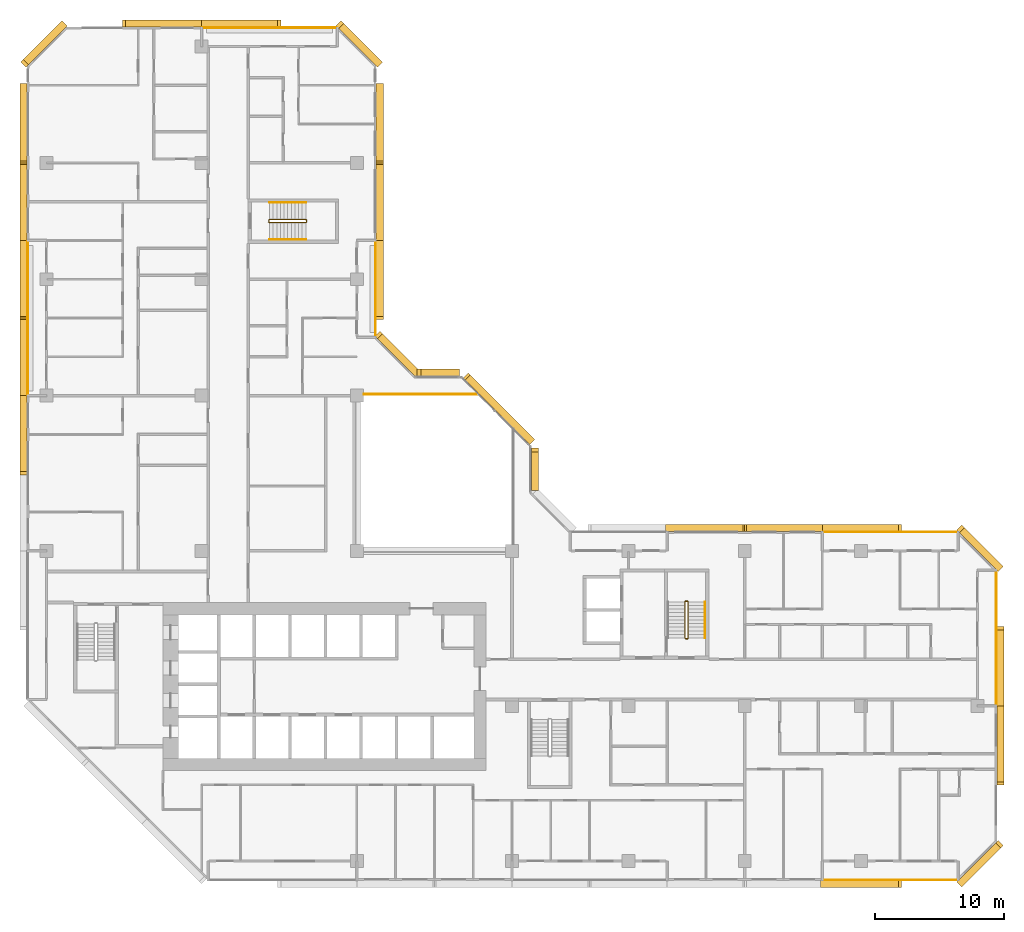
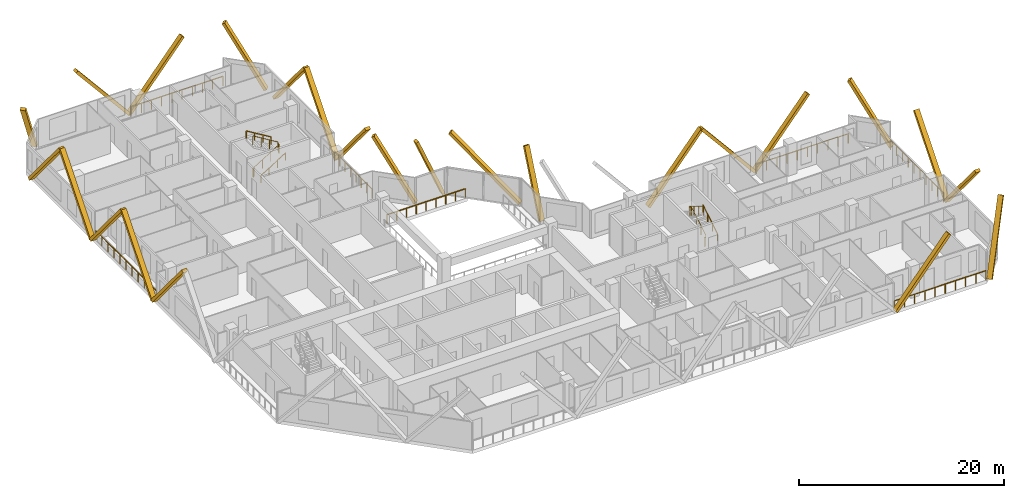
# One storey, part 16 of 16: 24 coverings, 12 railings.
"""IFC4 building model written with IfcOpenShell, lengths in metres."""

from ifc_helpers import new_model, si_unit, direction, frame, origin, origin_2d, place, context, subcontext, project, spatial, rectangle, extrude, material, material_profile, profile_set, type_object, element, save


model = new_model("IFC4")

# Units and contexts
model_context = context("Model", 3, precision=1e-05, world=origin(), true_north=direction((0.0, 1.0)))
body_context = subcontext(model_context, "Body", "Model", "MODEL_VIEW")
ifc_project = project(units=[si_unit("LENGTHUNIT", "METRE"), si_unit("AREAUNIT", "SQUARE_METRE"), si_unit("VOLUMEUNIT", "CUBIC_METRE"), si_unit("PLANEANGLEUNIT", "RADIAN"), si_unit("MASSUNIT", "GRAM", prefix="KILO")], contexts=[model_context])

# Site, building, storey
site_placement = place(None, origin())
site = spatial("IfcSite", under=ifc_project, at=site_placement, CompositionType="ELEMENT")
building_placement = place(site_placement, origin())
building = spatial("IfcBuilding", under=site, at=building_placement, Name="Chenar Terraces", CompositionType="ELEMENT")
storey_placement = place(building_placement, frame((0.0, 0.0, 99.39990234375)))
storey = spatial("IfcBuildingStorey", under=building, at=storey_placement, Name="L22", CompositionType="ELEMENT", Elevation=99.39990234375)

# Railings
ifc_material_1 = material(Name="Powder-coated steel", Category="steel")
railing_type_1 = type_object("IfcRailingType", Name="Guard 1100 steel rail with glass infill", PredefinedType="GUARDRAIL", material=ifc_material_1)
railing_1_placement = place(storey_placement, frame((24.550048828125, 36.10009765625, 0.0)))
element("IfcRailing", 1, at=railing_1_placement, inside=storey, type_object=railing_type_1, Name="Guard L22-2", PredefinedType="GUARDRAIL", context=body_context, shape_type="SweptSolid", body=[
    extrude(rectangle(XDim=0.06005859375, YDim=0.06005859375, at=origin_2d()), frame((0.0, 0.0, 1.070068359375), z_axis=(1.0, 0.0, 0.0), x_axis=(0.0, 1.0, 0.0)), (0.0, 0.0, 1.0), 8.849853515625),
    extrude(rectangle(XDim=0.050048828125, YDim=0.050048828125, at=origin_2d()), origin(), (0.0, 0.0, 1.0), 1.0400390625),
    extrude(rectangle(XDim=0.050048828125, YDim=0.050048828125, at=origin_2d()), frame((1.106201171875, 0.0, 0.0)), (0.0, 0.0, 1.0), 1.0400390625),
    extrude(rectangle(XDim=0.050048828125, YDim=0.050048828125, at=origin_2d()), frame((2.21240234375, 0.0, 0.0)), (0.0, 0.0, 1.0), 1.0400390625),
    extrude(rectangle(XDim=0.050048828125, YDim=0.050048828125, at=origin_2d()), frame((3.318603515625, 0.0, 0.0)), (0.0, 0.0, 1.0), 1.0400390625),
    extrude(rectangle(XDim=0.050048828125, YDim=0.050048828125, at=origin_2d()), frame((4.4248046875, 0.0, 0.0)), (0.0, 0.0, 1.0), 1.0400390625),
    extrude(rectangle(XDim=0.050048828125, YDim=0.050048828125, at=origin_2d()), frame((5.53125, 0.0, 0.0)), (0.0, 0.0, 1.0), 1.0400390625),
    extrude(rectangle(XDim=0.050048828125, YDim=0.050048828125, at=origin_2d()), frame((6.637451171875, 0.0, 0.0)), (0.0, 0.0, 1.0), 1.0400390625),
    extrude(rectangle(XDim=0.050048828125, YDim=0.050048828125, at=origin_2d()), frame((7.74365234375, 0.0, 0.0)), (0.0, 0.0, 1.0), 1.0400390625),
    extrude(rectangle(XDim=0.050048828125, YDim=0.050048828125, at=origin_2d()), frame((8.849853515625, 0.0, 0.0)), (0.0, 0.0, 1.0), 1.0400390625),
])
ifc_material_2 = material(Name="Stainless steel and glass", Category="steel")
railing_type_2 = type_object("IfcRailingType", Name="Loggia guard 1150", PredefinedType="GUARDRAIL", material=ifc_material_2)
railing_2_placement = place(storey_placement, frame((25.449951171875, 40.574951171875, 0.0)))
element("IfcRailing", 2, at=railing_2_placement, inside=storey, type_object=railing_type_2, Name="Loggia guard", PredefinedType="GUARDRAIL", context=body_context, shape_type="SweptSolid", body=[
    extrude(rectangle(XDim=0.048095703125, YDim=0.048095703125, at=origin_2d()), frame((0.0, 0.0, 1.1259765625), z_axis=(0.0, 1.0, 0.0), x_axis=(-1.0, 0.0, 0.0)), (0.0, 0.0, 1.0), 7.35009765625),
    extrude(rectangle(XDim=0.0419921875, YDim=0.0419921875, at=origin_2d()), origin(), (0.0, 0.0, 1.0), 1.101806640625),
    extrude(rectangle(XDim=0.0419921875, YDim=0.0419921875, at=origin_2d()), frame((0.0, 1.050048828125, 0.0)), (0.0, 0.0, 1.0), 1.101806640625),
    extrude(rectangle(XDim=0.0419921875, YDim=0.0419921875, at=origin_2d()), frame((0.0, 2.10009765625, 0.0)), (0.0, 0.0, 1.0), 1.101806640625),
    extrude(rectangle(XDim=0.0419921875, YDim=0.0419921875, at=origin_2d()), frame((0.0, 3.150146484375, 0.0)), (0.0, 0.0, 1.0), 1.101806640625),
    extrude(rectangle(XDim=0.0419921875, YDim=0.0419921875, at=origin_2d()), frame((0.0, 4.199951171875, 0.0)), (0.0, 0.0, 1.0), 1.101806640625),
    extrude(rectangle(XDim=0.0419921875, YDim=0.0419921875, at=origin_2d()), frame((0.0, 5.25, 0.0)), (0.0, 0.0, 1.0), 1.101806640625),
    extrude(rectangle(XDim=0.0419921875, YDim=0.0419921875, at=origin_2d()), frame((0.0, 6.300048828125, 0.0)), (0.0, 0.0, 1.0), 1.101806640625),
    extrude(rectangle(XDim=0.0419921875, YDim=0.0419921875, at=origin_2d()), frame((0.0, 7.35009765625, 0.0)), (0.0, 0.0, 1.0), 1.101806640625),
])
railing_3_placement = place(storey_placement, frame((73.449951171875, 12.074951171875, 0.0)))
element("IfcRailing", 3, at=railing_3_placement, inside=storey, type_object=railing_type_2, Name="Loggia guard", PredefinedType="GUARDRAIL", context=body_context, shape_type="SweptSolid", body=[
    extrude(rectangle(XDim=0.048095703125, YDim=0.048095703125, at=origin_2d()), frame((0.0, 0.0, 1.1259765625), z_axis=(0.0, 1.0, 0.0), x_axis=(-1.0, 0.0, 0.0)), (0.0, 0.0, 1.0), 10.35009765625),
    extrude(rectangle(XDim=0.0419921875, YDim=0.0419921875, at=origin_2d()), origin(), (0.0, 0.0, 1.0), 1.101806640625),
    extrude(rectangle(XDim=0.0419921875, YDim=0.0419921875, at=origin_2d()), frame((0.0, 1.14990234375, 0.0)), (0.0, 0.0, 1.0), 1.101806640625),
    extrude(rectangle(XDim=0.0419921875, YDim=0.0419921875, at=origin_2d()), frame((0.0, 2.300048828125, 0.0)), (0.0, 0.0, 1.0), 1.101806640625),
    extrude(rectangle(XDim=0.0419921875, YDim=0.0419921875, at=origin_2d()), frame((0.0, 3.449951171875, 0.0)), (0.0, 0.0, 1.0), 1.101806640625),
    extrude(rectangle(XDim=0.0419921875, YDim=0.0419921875, at=origin_2d()), frame((0.0, 4.60009765625, 0.0)), (0.0, 0.0, 1.0), 1.101806640625),
    extrude(rectangle(XDim=0.0419921875, YDim=0.0419921875, at=origin_2d()), frame((0.0, 5.75, 0.0)), (0.0, 0.0, 1.0), 1.101806640625),
    extrude(rectangle(XDim=0.0419921875, YDim=0.0419921875, at=origin_2d()), frame((0.0, 6.900146484375, 0.0)), (0.0, 0.0, 1.0), 1.101806640625),
    extrude(rectangle(XDim=0.0419921875, YDim=0.0419921875, at=origin_2d()), frame((0.0, 8.050048828125, 0.0)), (0.0, 0.0, 1.0), 1.101806640625),
    extrude(rectangle(XDim=0.0419921875, YDim=0.0419921875, at=origin_2d()), frame((0.0, 9.2001953125, 0.0)), (0.0, 0.0, 1.0), 1.101806640625),
    extrude(rectangle(XDim=0.0419921875, YDim=0.0419921875, at=origin_2d()), frame((0.0, 10.35009765625, 0.0)), (0.0, 0.0, 1.0), 1.101806640625),
])
for number, where, name in (
    (4, (70.425048828125, 25.449951171875, 0.0), "Loggia guard"),
    (5, (22.425048828125, 64.449951171875, 0.0), "Loggia guard"),
):
    element("IfcRailing", number, at=place(storey_placement, frame(where)), inside=storey, type_object=railing_type_2, Name=name, PredefinedType="GUARDRAIL", context=body_context, shape_type="SweptSolid", body=[
        extrude(rectangle(XDim=0.048095703125, YDim=0.048095703125, at=origin_2d()), frame((0.0, 0.0, 1.1259765625), z_axis=(-1.0, 0.0, 0.0), x_axis=(0.0, -1.0, 0.0)), (0.0, 0.0, 1.0), 10.35009765625),
        extrude(rectangle(XDim=0.0419921875, YDim=0.0419921875, at=origin_2d()), origin(), (0.0, 0.0, 1.0), 1.101806640625),
        extrude(rectangle(XDim=0.0419921875, YDim=0.0419921875, at=origin_2d()), frame((-1.14990234375, 0.0, 0.0)), (0.0, 0.0, 1.0), 1.101806640625),
        extrude(rectangle(XDim=0.0419921875, YDim=0.0419921875, at=origin_2d()), frame((-2.300048828125, 0.0, 0.0)), (0.0, 0.0, 1.0), 1.101806640625),
        extrude(rectangle(XDim=0.0419921875, YDim=0.0419921875, at=origin_2d()), frame((-3.449951171875, 0.0, 0.0)), (0.0, 0.0, 1.0), 1.101806640625),
        extrude(rectangle(XDim=0.0419921875, YDim=0.0419921875, at=origin_2d()), frame((-4.60009765625, 0.0, 0.0)), (0.0, 0.0, 1.0), 1.101806640625),
        extrude(rectangle(XDim=0.0419921875, YDim=0.0419921875, at=origin_2d()), frame((-5.75, 0.0, 0.0)), (0.0, 0.0, 1.0), 1.101806640625),
        extrude(rectangle(XDim=0.0419921875, YDim=0.0419921875, at=origin_2d()), frame((-6.900146484375, 0.0, 0.0)), (0.0, 0.0, 1.0), 1.101806640625),
        extrude(rectangle(XDim=0.0419921875, YDim=0.0419921875, at=origin_2d()), frame((-8.050048828125, 0.0, 0.0)), (0.0, 0.0, 1.0), 1.101806640625),
        extrude(rectangle(XDim=0.0419921875, YDim=0.0419921875, at=origin_2d()), frame((-9.2001953125, 0.0, 0.0)), (0.0, 0.0, 1.0), 1.101806640625),
        extrude(rectangle(XDim=0.0419921875, YDim=0.0419921875, at=origin_2d()), frame((-10.35009765625, 0.0, 0.0)), (0.0, 0.0, 1.0), 1.101806640625),
    ])
railing_4_placement = place(storey_placement, frame((60.074951171875, -1.449951171875, 0.0)))
element("IfcRailing", 6, at=railing_4_placement, inside=storey, type_object=railing_type_2, Name="Loggia guard", PredefinedType="GUARDRAIL", context=body_context, shape_type="SweptSolid", body=[
    extrude(rectangle(XDim=0.048095703125, YDim=0.048095703125, at=origin_2d()), frame((0.0, 0.0, 1.1259765625), z_axis=(1.0, 0.0, 0.0), x_axis=(0.0, 1.0, 0.0)), (0.0, 0.0, 1.0), 10.35009765625),
    extrude(rectangle(XDim=0.0419921875, YDim=0.0419921875, at=origin_2d()), origin(), (0.0, 0.0, 1.0), 1.101806640625),
    extrude(rectangle(XDim=0.0419921875, YDim=0.0419921875, at=origin_2d()), frame((1.14990234375, 0.0, 0.0)), (0.0, 0.0, 1.0), 1.101806640625),
    extrude(rectangle(XDim=0.0419921875, YDim=0.0419921875, at=origin_2d()), frame((2.300048828125, 0.0, 0.0)), (0.0, 0.0, 1.0), 1.101806640625),
    extrude(rectangle(XDim=0.0419921875, YDim=0.0419921875, at=origin_2d()), frame((3.449951171875, 0.0, 0.0)), (0.0, 0.0, 1.0), 1.101806640625),
    extrude(rectangle(XDim=0.0419921875, YDim=0.0419921875, at=origin_2d()), frame((4.60009765625, 0.0, 0.0)), (0.0, 0.0, 1.0), 1.101806640625),
    extrude(rectangle(XDim=0.0419921875, YDim=0.0419921875, at=origin_2d()), frame((5.75, 0.0, 0.0)), (0.0, 0.0, 1.0), 1.101806640625),
    extrude(rectangle(XDim=0.0419921875, YDim=0.0419921875, at=origin_2d()), frame((6.900146484375, 0.0, 0.0)), (0.0, 0.0, 1.0), 1.101806640625),
    extrude(rectangle(XDim=0.0419921875, YDim=0.0419921875, at=origin_2d()), frame((8.050048828125, 0.0, 0.0)), (0.0, 0.0, 1.0), 1.101806640625),
    extrude(rectangle(XDim=0.0419921875, YDim=0.0419921875, at=origin_2d()), frame((9.2001953125, 0.0, 0.0)), (0.0, 0.0, 1.0), 1.101806640625),
    extrude(rectangle(XDim=0.0419921875, YDim=0.0419921875, at=origin_2d()), frame((10.35009765625, 0.0, 0.0)), (0.0, 0.0, 1.0), 1.101806640625),
])
railing_5_placement = place(storey_placement, frame((-1.449951171875, 47.925048828125, 0.0)))
element("IfcRailing", 7, at=railing_5_placement, inside=storey, type_object=railing_type_2, Name="Loggia guard", PredefinedType="GUARDRAIL", context=body_context, shape_type="SweptSolid", body=[
    extrude(rectangle(XDim=0.048095703125, YDim=0.048095703125, at=origin_2d()), frame((0.0, 0.0, 1.1259765625), z_axis=(0.0, -1.0, 0.0), x_axis=(1.0, 0.0, 0.0)), (0.0, 0.0, 1.0), 11.85009765625),
    extrude(rectangle(XDim=0.0419921875, YDim=0.0419921875, at=origin_2d()), origin(), (0.0, 0.0, 1.0), 1.101806640625),
    extrude(rectangle(XDim=0.0419921875, YDim=0.0419921875, at=origin_2d()), frame((0.0, -1.18505859375, 0.0)), (0.0, 0.0, 1.0), 1.101806640625),
    extrude(rectangle(XDim=0.0419921875, YDim=0.0419921875, at=origin_2d()), frame((0.0, -2.3701171875, 0.0)), (0.0, 0.0, 1.0), 1.101806640625),
    extrude(rectangle(XDim=0.0419921875, YDim=0.0419921875, at=origin_2d()), frame((0.0, -3.554931640625, 0.0)), (0.0, 0.0, 1.0), 1.101806640625),
    extrude(rectangle(XDim=0.0419921875, YDim=0.0419921875, at=origin_2d()), frame((0.0, -4.739990234375, 0.0)), (0.0, 0.0, 1.0), 1.101806640625),
    extrude(rectangle(XDim=0.0419921875, YDim=0.0419921875, at=origin_2d()), frame((0.0, -5.925048828125, 0.0)), (0.0, 0.0, 1.0), 1.101806640625),
    extrude(rectangle(XDim=0.0419921875, YDim=0.0419921875, at=origin_2d()), frame((0.0, -7.110107421875, 0.0)), (0.0, 0.0, 1.0), 1.101806640625),
    extrude(rectangle(XDim=0.0419921875, YDim=0.0419921875, at=origin_2d()), frame((0.0, -8.295166015625, 0.0)), (0.0, 0.0, 1.0), 1.101806640625),
    extrude(rectangle(XDim=0.0419921875, YDim=0.0419921875, at=origin_2d()), frame((0.0, -9.47998046875, 0.0)), (0.0, 0.0, 1.0), 1.101806640625),
    extrude(rectangle(XDim=0.0419921875, YDim=0.0419921875, at=origin_2d()), frame((0.0, -10.6650390625, 0.0)), (0.0, 0.0, 1.0), 1.101806640625),
    extrude(rectangle(XDim=0.0419921875, YDim=0.0419921875, at=origin_2d()), frame((0.0, -11.85009765625, 0.0)), (0.0, 0.0, 1.0), 1.101806640625),
])
ifc_material_3 = material(Name="Powder-coated steel", Category="steel")
railing_type_3 = type_object("IfcRailingType", Name="Stair guard 1100", PredefinedType="GUARDRAIL", material=ifc_material_3)
railing_6_placement = place(storey_placement, frame((49.375, 17.25, 3.75)))
element("IfcRailing", 8, at=railing_6_placement, inside=storey, type_object=railing_type_3, Name="L22 ST3 stair guard 1", PredefinedType="GUARDRAIL", context=body_context, shape_type="SweptSolid", body=[
    extrude(rectangle(XDim=0.048095703125, YDim=0.048095703125, at=origin_2d()), frame((0.0, 0.0, 1.076171875), z_axis=(0.0, 0.854202870247, -0.519939858505), x_axis=(-1.0, 0.0, 0.0)), (0.0, 0.0, 1.0), 3.278076171875),
    extrude(rectangle(XDim=0.048095703125, YDim=0.048095703125, at=origin_2d()), frame((0.0, 2.800048828125, -0.62841796875), z_axis=(0.270899902878, 0.270899902878, -0.923702595667), x_axis=(-0.707106781187, 0.707106781187, 0.0)), (0.0, 0.0, 1.0), 0.184814453125),
    extrude(rectangle(XDim=0.048095703125, YDim=0.048095703125, at=origin_2d()), frame((0.050048828125, 2.85009765625, -0.798828125), z_axis=(1.0, 0.0, 0.0), x_axis=(0.0, 1.0, 0.0)), (0.0, 0.0, 1.0), 0.14990234375),
    extrude(rectangle(XDim=0.048095703125, YDim=0.048095703125, at=origin_2d()), frame((0.199951171875, 2.85009765625, -0.798828125), z_axis=(0.707106781187, -0.707106781187, 0.0), x_axis=(0.707106781187, 0.707106781187, 0.0)), (0.0, 0.0, 1.0), 0.07080078125),
    extrude(rectangle(XDim=0.048095703125, YDim=0.048095703125, at=origin_2d()), frame((0.25, 2.800048828125, -0.798828125), z_axis=(0.0, -0.854202870247, -0.519939858505), x_axis=(1.0, 0.0, 0.0)), (0.0, 0.0, 1.0), 3.278076171875),
    extrude(rectangle(XDim=0.048095703125, YDim=0.048095703125, at=origin_2d()), frame((0.25, 0.0, -2.50341796875), z_axis=(-0.270899902878, -0.270899902878, -0.923702595667), x_axis=(0.707106781187, -0.707106781187, 0.0)), (0.0, 0.0, 1.0), 0.184814453125),
    extrude(rectangle(XDim=0.048095703125, YDim=0.048095703125, at=origin_2d()), frame((0.199951171875, -0.050048828125, -2.673828125), z_axis=(-1.0, 0.0, 0.0), x_axis=(0.0, -1.0, 0.0)), (0.0, 0.0, 1.0), 0.14990234375),
    extrude(rectangle(XDim=0.0419921875, YDim=0.0419921875, at=origin_2d()), origin(), (0.0, 0.0, 1.0), 1.052001953125),
    extrude(rectangle(XDim=0.0419921875, YDim=0.0419921875, at=origin_2d()), frame((0.0, 0.933349609375, -0.568115234375)), (0.0, 0.0, 1.0), 1.052001953125),
    extrude(rectangle(XDim=0.0419921875, YDim=0.0419921875, at=origin_2d()), frame((0.0, 1.86669921875, -1.13623046875)), (0.0, 0.0, 1.0), 1.052001953125),
    extrude(rectangle(XDim=0.0419921875, YDim=0.0419921875, at=origin_2d()), frame((0.0, 2.800048828125, -1.704345703125)), (0.0, 0.0, 1.0), 1.052001953125),
    extrude(rectangle(XDim=0.0419921875, YDim=0.0419921875, at=origin_2d()), frame((0.050048828125, 2.85009765625, -1.875)), (0.0, 0.0, 1.0), 1.052001953125),
    extrude(rectangle(XDim=0.0419921875, YDim=0.0419921875, at=origin_2d()), frame((0.199951171875, 2.85009765625, -1.875)), (0.0, 0.0, 1.0), 1.052001953125),
    extrude(rectangle(XDim=0.0419921875, YDim=0.0419921875, at=origin_2d()), frame((0.25, 2.800048828125, -1.875)), (0.0, 0.0, 1.0), 1.052001953125),
    extrude(rectangle(XDim=0.0419921875, YDim=0.0419921875, at=origin_2d()), frame((0.25, 1.86669921875, -2.443115234375)), (0.0, 0.0, 1.0), 1.052001953125),
    extrude(rectangle(XDim=0.0419921875, YDim=0.0419921875, at=origin_2d()), frame((0.25, 0.933349609375, -3.01123046875)), (0.0, 0.0, 1.0), 1.052001953125),
    extrude(rectangle(XDim=0.0419921875, YDim=0.0419921875, at=origin_2d()), frame((0.25, 0.0, -3.579345703125)), (0.0, 0.0, 1.0), 1.052001953125),
    extrude(rectangle(XDim=0.0419921875, YDim=0.0419921875, at=origin_2d()), frame((0.199951171875, -0.050048828125, -3.75)), (0.0, 0.0, 1.0), 1.052001953125),
    extrude(rectangle(XDim=0.0419921875, YDim=0.0419921875, at=origin_2d()), frame((0.050048828125, -0.050048828125, -3.75)), (0.0, 0.0, 1.0), 1.052001953125),
])
railing_7_placement = place(storey_placement, frame((17.25, 49.625, 3.75)))
element("IfcRailing", 9, at=railing_7_placement, inside=storey, type_object=railing_type_3, Name="L22 ST4 stair guard 1", PredefinedType="GUARDRAIL", context=body_context, shape_type="SweptSolid", body=[
    extrude(rectangle(XDim=0.048095703125, YDim=0.048095703125, at=origin_2d()), frame((0.0, 0.0, 1.076171875), z_axis=(0.854202870247, 0.0, -0.519939858505), x_axis=(0.0, 1.0, 0.0)), (0.0, 0.0, 1.0), 3.278076171875),
    extrude(rectangle(XDim=0.048095703125, YDim=0.048095703125, at=origin_2d()), frame((2.800048828125, 0.0, -0.62841796875), z_axis=(0.270899902878, -0.270899902878, -0.923702595667), x_axis=(0.707106781187, 0.707106781187, 0.0)), (0.0, 0.0, 1.0), 0.184814453125),
    extrude(rectangle(XDim=0.048095703125, YDim=0.048095703125, at=origin_2d()), frame((2.85009765625, -0.050048828125, -0.798828125), z_axis=(0.0, -1.0, 0.0), x_axis=(1.0, 0.0, 0.0)), (0.0, 0.0, 1.0), 0.14990234375),
    extrude(rectangle(XDim=0.048095703125, YDim=0.048095703125, at=origin_2d()), frame((2.85009765625, -0.199951171875, -0.798828125), z_axis=(-0.707106781187, -0.707106781187, 0.0), x_axis=(0.707106781187, -0.707106781187, 0.0)), (0.0, 0.0, 1.0), 0.07080078125),
    extrude(rectangle(XDim=0.048095703125, YDim=0.048095703125, at=origin_2d()), frame((2.800048828125, -0.25, -0.798828125), z_axis=(-0.854202870247, 0.0, -0.519939858505), x_axis=(0.0, -1.0, 0.0)), (0.0, 0.0, 1.0), 3.278076171875),
    extrude(rectangle(XDim=0.048095703125, YDim=0.048095703125, at=origin_2d()), frame((0.0, -0.25, -2.50341796875), z_axis=(-0.270899902878, 0.270899902878, -0.923702595667), x_axis=(-0.707106781187, -0.707106781187, 0.0)), (0.0, 0.0, 1.0), 0.184814453125),
    extrude(rectangle(XDim=0.048095703125, YDim=0.048095703125, at=origin_2d()), frame((-0.050048828125, -0.199951171875, -2.673828125), z_axis=(0.0, 1.0, 0.0), x_axis=(-1.0, 0.0, 0.0)), (0.0, 0.0, 1.0), 0.14990234375),
    extrude(rectangle(XDim=0.0419921875, YDim=0.0419921875, at=origin_2d()), origin(), (0.0, 0.0, 1.0), 1.052001953125),
    extrude(rectangle(XDim=0.0419921875, YDim=0.0419921875, at=origin_2d()), frame((0.933349609375, 0.0, -0.568115234375)), (0.0, 0.0, 1.0), 1.052001953125),
    extrude(rectangle(XDim=0.0419921875, YDim=0.0419921875, at=origin_2d()), frame((1.86669921875, 0.0, -1.13623046875)), (0.0, 0.0, 1.0), 1.052001953125),
    extrude(rectangle(XDim=0.0419921875, YDim=0.0419921875, at=origin_2d()), frame((2.800048828125, 0.0, -1.704345703125)), (0.0, 0.0, 1.0), 1.052001953125),
    extrude(rectangle(XDim=0.0419921875, YDim=0.0419921875, at=origin_2d()), frame((2.85009765625, -0.050048828125, -1.875)), (0.0, 0.0, 1.0), 1.052001953125),
    extrude(rectangle(XDim=0.0419921875, YDim=0.0419921875, at=origin_2d()), frame((2.85009765625, -0.199951171875, -1.875)), (0.0, 0.0, 1.0), 1.052001953125),
    extrude(rectangle(XDim=0.0419921875, YDim=0.0419921875, at=origin_2d()), frame((2.800048828125, -0.25, -1.875)), (0.0, 0.0, 1.0), 1.052001953125),
    extrude(rectangle(XDim=0.0419921875, YDim=0.0419921875, at=origin_2d()), frame((1.86669921875, -0.25, -2.443115234375)), (0.0, 0.0, 1.0), 1.052001953125),
    extrude(rectangle(XDim=0.0419921875, YDim=0.0419921875, at=origin_2d()), frame((0.933349609375, -0.25, -3.01123046875)), (0.0, 0.0, 1.0), 1.052001953125),
    extrude(rectangle(XDim=0.0419921875, YDim=0.0419921875, at=origin_2d()), frame((0.0, -0.25, -3.579345703125)), (0.0, 0.0, 1.0), 1.052001953125),
    extrude(rectangle(XDim=0.0419921875, YDim=0.0419921875, at=origin_2d()), frame((-0.050048828125, -0.199951171875, -3.75)), (0.0, 0.0, 1.0), 1.052001953125),
    extrude(rectangle(XDim=0.0419921875, YDim=0.0419921875, at=origin_2d()), frame((-0.050048828125, -0.050048828125, -3.75)), (0.0, 0.0, 1.0), 1.052001953125),
])
ifc_material_4 = material(Name="Powder-coated steel", Category="steel")
railing_type_4 = type_object("IfcRailingType", Name="Stair handrail 900", PredefinedType="HANDRAIL", material=ifc_material_4)
railing_8_placement = place(storey_placement, frame((50.925048828125, 17.25, 0.170654296875)))
element("IfcRailing", 10, at=railing_8_placement, inside=storey, type_object=railing_type_4, Name="L22 ST3 stair handrail 1", PredefinedType="HANDRAIL", context=body_context, shape_type="SweptSolid", body=[
    extrude(rectangle(XDim=0.048095703125, YDim=0.048095703125, at=origin_2d()), frame((0.0, 0.0, 0.8759765625), z_axis=(0.0, 0.854202870247, 0.519939858505), x_axis=(-1.0, 0.0, 0.0)), (0.0, 0.0, 1.0), 3.278076171875),
    extrude(rectangle(XDim=0.0419921875, YDim=0.0419921875, at=origin_2d()), origin(), (0.0, 0.0, 1.0), 0.851806640625),
    extrude(rectangle(XDim=0.0419921875, YDim=0.0419921875, at=origin_2d()), frame((0.0, 0.933349609375, 0.568115234375)), (0.0, 0.0, 1.0), 0.851806640625),
    extrude(rectangle(XDim=0.0419921875, YDim=0.0419921875, at=origin_2d()), frame((0.0, 1.86669921875, 1.13623046875)), (0.0, 0.0, 1.0), 0.851806640625),
    extrude(rectangle(XDim=0.0419921875, YDim=0.0419921875, at=origin_2d()), frame((0.0, 2.800048828125, 1.704345703125)), (0.0, 0.0, 1.0), 0.851806640625),
])
railing_9_placement = place(storey_placement, frame((17.25, 48.074951171875, 0.170654296875)))
element("IfcRailing", 11, at=railing_9_placement, inside=storey, type_object=railing_type_4, Name="L22 ST4 stair handrail 1", PredefinedType="HANDRAIL", context=body_context, shape_type="SweptSolid", body=[
    extrude(rectangle(XDim=0.048095703125, YDim=0.048095703125, at=origin_2d()), frame((0.0, 0.0, 0.8759765625), z_axis=(0.854202870247, 0.0, 0.519939858505), x_axis=(0.0, 1.0, 0.0)), (0.0, 0.0, 1.0), 3.278076171875),
    extrude(rectangle(XDim=0.0419921875, YDim=0.0419921875, at=origin_2d()), origin(), (0.0, 0.0, 1.0), 0.851806640625),
    extrude(rectangle(XDim=0.0419921875, YDim=0.0419921875, at=origin_2d()), frame((0.933349609375, 0.0, 0.568115234375)), (0.0, 0.0, 1.0), 0.851806640625),
    extrude(rectangle(XDim=0.0419921875, YDim=0.0419921875, at=origin_2d()), frame((1.86669921875, 0.0, 1.13623046875)), (0.0, 0.0, 1.0), 0.851806640625),
    extrude(rectangle(XDim=0.0419921875, YDim=0.0419921875, at=origin_2d()), frame((2.800048828125, 0.0, 1.704345703125)), (0.0, 0.0, 1.0), 0.851806640625),
])
railing_10_placement = place(storey_placement, frame((20.050048828125, 50.925048828125, 2.045654296875)))
element("IfcRailing", 12, at=railing_10_placement, inside=storey, type_object=railing_type_4, Name="L22 ST4 stair handrail 2", PredefinedType="HANDRAIL", context=body_context, shape_type="SweptSolid", body=[
    extrude(rectangle(XDim=0.048095703125, YDim=0.048095703125, at=origin_2d()), frame((0.0, 0.0, 0.8759765625), z_axis=(-0.854202870247, 0.0, 0.519939858505), x_axis=(0.0, -1.0, 0.0)), (0.0, 0.0, 1.0), 3.278076171875),
    extrude(rectangle(XDim=0.0419921875, YDim=0.0419921875, at=origin_2d()), origin(), (0.0, 0.0, 1.0), 0.851806640625),
    extrude(rectangle(XDim=0.0419921875, YDim=0.0419921875, at=origin_2d()), frame((-0.933349609375, 0.0, 0.568115234375)), (0.0, 0.0, 1.0), 0.851806640625),
    extrude(rectangle(XDim=0.0419921875, YDim=0.0419921875, at=origin_2d()), frame((-1.86669921875, 0.0, 1.13623046875)), (0.0, 0.0, 1.0), 0.851806640625),
    extrude(rectangle(XDim=0.0419921875, YDim=0.0419921875, at=origin_2d()), frame((-2.800048828125, 0.0, 1.704345703125)), (0.0, 0.0, 1.0), 0.851806640625),
])

# Coverings
ifc_material_5 = material(Name="Terracotta", Category="masonry")
ifc_material_profile = material_profile(ifc_material_5, rectangle(XDim=0.550048828125, YDim=0.330078125, at=origin_2d()), Name="Terracotta baguette 550 x 330")
ifc_profile_set = profile_set([ifc_material_profile], Name="Terracotta")
covering_type = type_object("IfcCoveringType", Name="Terracotta baguette 550 x 330", PredefinedType="CLADDING", material=ifc_profile_set)
for number, where, z_axis, x_axis, name in (
    (13, (66.0, 25.77490234375, 7.35009765625), (-0.640186961885, 0.0, -0.768219144407), (0.0, -1.0, 0.0), "Terracotta baguette"),
    (14, (60.0, 25.77490234375, 0.150146484375), (-0.640186961885, 0.0, 0.768219144407), (0.0, -1.0, 0.0), "Terracotta baguette"),
    (15, (54.0, 25.77490234375, 7.35009765625), (-0.640186961885, 0.0, -0.768219144407), (0.0, -1.0, 0.0), "Terracotta baguette"),
):
    element("IfcCovering", number, at=place(storey_placement, frame(where, z_axis=z_axis, x_axis=x_axis)), inside=storey, type_object=covering_type, Name=name, PredefinedType="CLADDING", context=body_context, shape_type="SweptSolid", body=[
        extrude(rectangle(XDim=0.550048828125, YDim=0.330078125, at=origin_2d()), origin(), (0.0, 0.0, 1.0), 9.372314453125),
    ])
covering_1_placement = place(storey_placement, frame((37.77490234375, 28.800048828125, 0.150146484375), z_axis=(0.0, 0.384617607118, 0.923075997031), x_axis=(-1.0, 0.0, 0.0)))
element("IfcCovering", 16, at=covering_1_placement, inside=storey, type_object=covering_type, Name="Terracotta baguette", PredefinedType="CLADDING", context=body_context, shape_type="SweptSolid", body=[
    extrude(rectangle(XDim=0.550048828125, YDim=0.330078125, at=origin_2d()), origin(), (0.0, 0.0, 1.0), 7.800048828125),
])
covering_2_placement = place(storey_placement, frame((37.482421875, 32.506591796875, 0.150146484375), z_axis=(-0.494240720479, 0.494240720479, 0.715158877761), x_axis=(-0.707106781187, -0.707106781187, 0.0)))
element("IfcCovering", 17, at=covering_2_placement, inside=storey, type_object=covering_type, Name="Terracotta baguette", PredefinedType="CLADDING", context=body_context, shape_type="SweptSolid", body=[
    extrude(rectangle(XDim=0.550048828125, YDim=0.330078125, at=origin_2d()), origin(), (0.0, 0.0, 1.0), 10.067626953125),
])
covering_3_placement = place(storey_placement, frame((31.800048828125, 37.77490234375, 0.150146484375), z_axis=(-0.384617607118, 0.0, 0.923075997031), x_axis=(0.0, -1.0, 0.0)))
element("IfcCovering", 18, at=covering_3_placement, inside=storey, type_object=covering_type, Name="Terracotta baguette", PredefinedType="CLADDING", context=body_context, shape_type="SweptSolid", body=[
    extrude(rectangle(XDim=0.550048828125, YDim=0.330078125, at=origin_2d()), origin(), (0.0, 0.0, 1.0), 7.800048828125),
])
covering_4_placement = place(storey_placement, frame((28.6943359375, 37.6943359375, 0.150146484375), z_axis=(-0.358955436736, 0.358984650982, 0.861557319507), x_axis=(-0.70713555402, -0.707078007182, 0.0)))
element("IfcCovering", 19, at=covering_4_placement, inside=storey, type_object=covering_type, Name="Terracotta baguette", PredefinedType="CLADDING", context=body_context, shape_type="SweptSolid", body=[
    extrude(rectangle(XDim=0.550048828125, YDim=0.330078125, at=origin_2d()), origin(), (0.0, 0.0, 1.0), 8.35693359375),
])
for number, where, z_axis, x_axis, name in (
    (20, (25.77490234375, 42.0, 7.35009765625), (0.0, 0.640186961885, -0.768219144407), (-1.0, 0.0, 0.0), "Terracotta baguette"),
    (21, (25.77490234375, 48.0, 0.150146484375), (0.0, 0.640186961885, 0.768219144407), (-1.0, 0.0, 0.0), "Terracotta baguette"),
    (22, (25.77490234375, 54.0, 7.35009765625), (0.0, 0.640186961885, -0.768219144407), (-1.0, 0.0, 0.0), "Terracotta baguette"),
):
    element("IfcCovering", number, at=place(storey_placement, frame(where, z_axis=z_axis, x_axis=x_axis)), inside=storey, type_object=covering_type, Name=name, PredefinedType="CLADDING", context=body_context, shape_type="SweptSolid", body=[
        extrude(rectangle(XDim=0.550048828125, YDim=0.330078125, at=origin_2d()), origin(), (0.0, 0.0, 1.0), 9.372314453125),
    ])
covering_5_placement = place(storey_placement, frame((25.6943359375, 61.6943359375, 0.150146484375), z_axis=(-0.358955436736, 0.358984650982, 0.861557319507), x_axis=(-0.70713555402, -0.707078007182, 0.0)))
element("IfcCovering", 23, at=covering_5_placement, inside=storey, type_object=covering_type, Name="Terracotta baguette", PredefinedType="CLADDING", context=body_context, shape_type="SweptSolid", body=[
    extrude(rectangle(XDim=0.550048828125, YDim=0.330078125, at=origin_2d()), origin(), (0.0, 0.0, 1.0), 8.35693359375),
])
for number, where, z_axis, x_axis, name in (
    (24, (18.0, 64.77490234375, 7.35009765625), (-0.640186961885, 0.0, -0.768219144407), (0.0, -1.0, 0.0), "Terracotta baguette"),
    (25, (12.0, 64.77490234375, 0.150146484375), (-0.640186961885, 0.0, 0.768219144407), (0.0, -1.0, 0.0), "Terracotta baguette"),
):
    element("IfcCovering", number, at=place(storey_placement, frame(where, z_axis=z_axis, x_axis=x_axis)), inside=storey, type_object=covering_type, Name=name, PredefinedType="CLADDING", context=body_context, shape_type="SweptSolid", body=[
        extrude(rectangle(XDim=0.550048828125, YDim=0.330078125, at=origin_2d()), origin(), (0.0, 0.0, 1.0), 9.372314453125),
    ])
covering_6_placement = place(storey_placement, frame((1.3056640625, 64.6943359375, 0.150146484375), z_axis=(-0.358984650982, -0.358955436736, 0.861557319507), x_axis=(0.707078007182, -0.70713555402, 0.0)))
element("IfcCovering", 26, at=covering_6_placement, inside=storey, type_object=covering_type, Name="Terracotta baguette", PredefinedType="CLADDING", context=body_context, shape_type="SweptSolid", body=[
    extrude(rectangle(XDim=0.550048828125, YDim=0.330078125, at=origin_2d()), origin(), (0.0, 0.0, 1.0), 8.35693359375),
])
for number, where, z_axis, x_axis, name in (
    (27, (-1.77490234375, 60.0, 0.150146484375), (0.0, -0.640186961885, 0.768219144407), (1.0, 0.0, 0.0), "Terracotta baguette"),
    (28, (-1.77490234375, 54.0, 7.35009765625), (0.0, -0.640186961885, -0.768219144407), (1.0, 0.0, 0.0), "Terracotta baguette"),
    (29, (-1.77490234375, 48.0, 0.150146484375), (0.0, -0.640186961885, 0.768219144407), (1.0, 0.0, 0.0), "Terracotta baguette"),
    (30, (-1.77490234375, 42.0, 7.35009765625), (0.0, -0.640186961885, -0.768219144407), (1.0, 0.0, 0.0), "Terracotta baguette"),
    (31, (-1.77490234375, 36.0, 0.150146484375), (0.0, -0.640186961885, 0.768219144407), (1.0, 0.0, 0.0), "Terracotta baguette"),
    (32, (60.0, -1.77490234375, 0.150146484375), (0.640186961885, 0.0, 0.768219144407), (0.0, 1.0, 0.0), "Terracotta baguette"),
):
    element("IfcCovering", number, at=place(storey_placement, frame(where, z_axis=z_axis, x_axis=x_axis)), inside=storey, type_object=covering_type, Name=name, PredefinedType="CLADDING", context=body_context, shape_type="SweptSolid", body=[
        extrude(rectangle(XDim=0.550048828125, YDim=0.330078125, at=origin_2d()), origin(), (0.0, 0.0, 1.0), 9.372314453125),
    ])
covering_7_placement = place(storey_placement, frame((70.6943359375, -1.6943359375, 0.150146484375), z_axis=(0.358984650982, 0.358955436736, 0.861557319507), x_axis=(-0.707078007182, 0.70713555402, 0.0)))
element("IfcCovering", 33, at=covering_7_placement, inside=storey, type_object=covering_type, Name="Terracotta baguette", PredefinedType="CLADDING", context=body_context, shape_type="SweptSolid", body=[
    extrude(rectangle(XDim=0.550048828125, YDim=0.330078125, at=origin_2d()), origin(), (0.0, 0.0, 1.0), 8.35693359375),
])
for number, where, z_axis, x_axis, name in (
    (34, (73.77490234375, 6.0, 7.35009765625), (0.0, 0.640186961885, -0.768219144407), (-1.0, 0.0, 0.0), "Terracotta baguette"),
    (35, (73.77490234375, 12.0, 0.150146484375), (0.0, 0.640186961885, 0.768219144407), (-1.0, 0.0, 0.0), "Terracotta baguette"),
):
    element("IfcCovering", number, at=place(storey_placement, frame(where, z_axis=z_axis, x_axis=x_axis)), inside=storey, type_object=covering_type, Name=name, PredefinedType="CLADDING", context=body_context, shape_type="SweptSolid", body=[
        extrude(rectangle(XDim=0.550048828125, YDim=0.330078125, at=origin_2d()), origin(), (0.0, 0.0, 1.0), 9.372314453125),
    ])
covering_8_placement = place(storey_placement, frame((73.6943359375, 22.6943359375, 0.150146484375), z_axis=(-0.358955436736, 0.358984650982, 0.861557319507), x_axis=(-0.70713555402, -0.707078007182, 0.0)))
element("IfcCovering", 36, at=covering_8_placement, inside=storey, type_object=covering_type, Name="Terracotta baguette", PredefinedType="CLADDING", context=body_context, shape_type="SweptSolid", body=[
    extrude(rectangle(XDim=0.550048828125, YDim=0.330078125, at=origin_2d()), origin(), (0.0, 0.0, 1.0), 8.35693359375),
])

save(model, "model.ifc")
